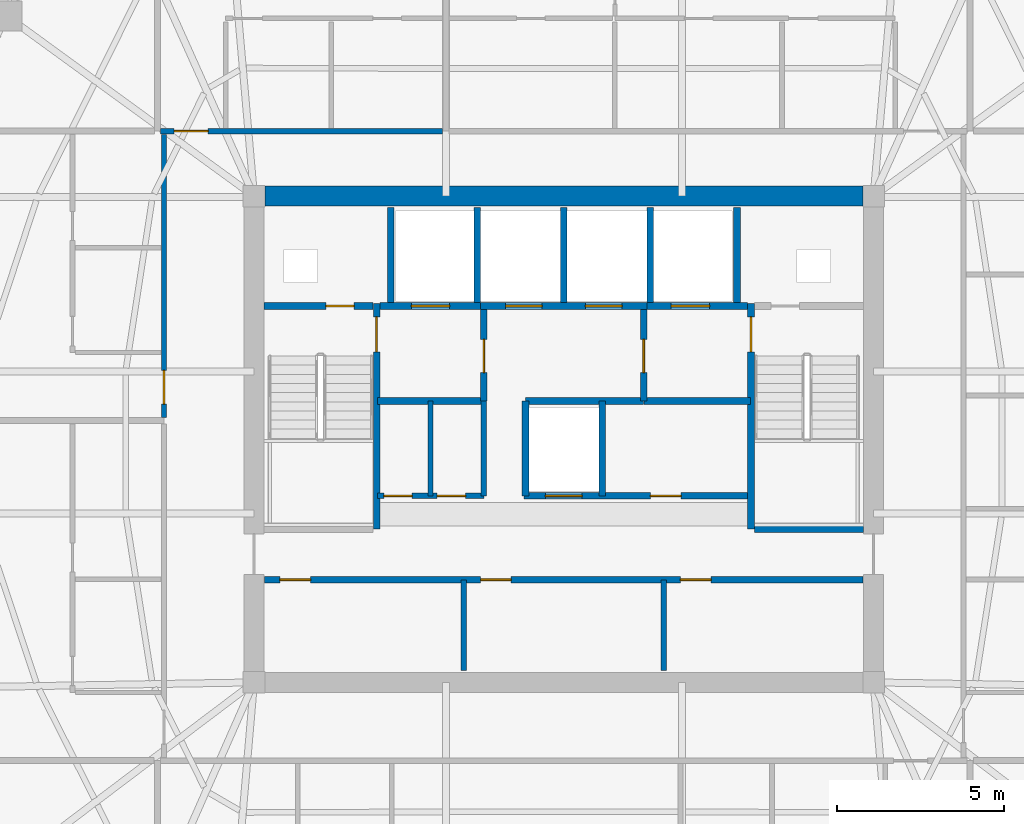
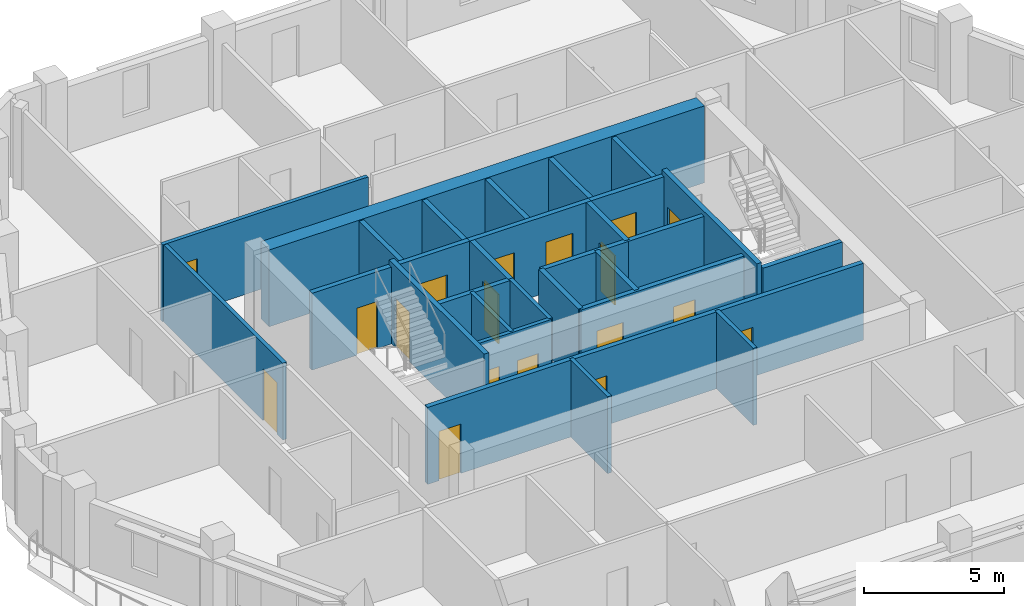
# One storey, part 5 of 11: 29 walls, 18 doors, 18 openings.
"""IFC4 building model written with IfcOpenShell, lengths in metres."""

from ifc_helpers import new_model, si_unit, direction, frame, frame_2d, origin, place, context, subcontext, project, spatial, rectangle, extrude, material, layer, layer_set, type_object, element, fill, save


model = new_model("IFC4")

# Units and contexts
model_context = context("Model", 3, precision=1e-05, world=origin(), true_north=direction((0.0, 1.0)))
body_context = subcontext(model_context, "Body", "Model", "MODEL_VIEW")
ifc_project = project(units=[si_unit("LENGTHUNIT", "METRE"), si_unit("AREAUNIT", "SQUARE_METRE"), si_unit("VOLUMEUNIT", "CUBIC_METRE"), si_unit("PLANEANGLEUNIT", "RADIAN"), si_unit("MASSUNIT", "GRAM", prefix="KILO")], contexts=[model_context])

# Site, building, storey
site_placement = place(None, origin())
site = spatial("IfcSite", under=ifc_project, at=site_placement, CompositionType="ELEMENT")
building_placement = place(site_placement, origin())
building = spatial("IfcBuilding", under=site, at=building_placement, Name="Cinnabar Lancet Tower", CompositionType="ELEMENT")
storey_placement = place(building_placement, frame((0.0, 0.0, 196.75)))
storey = spatial("IfcBuildingStorey", under=building, at=storey_placement, Name="L52", CompositionType="ELEMENT", Elevation=196.75)

# Wall, openings, doors
ifc_material_1 = material(Name="Acoustic twin-stud gypsum partition", Category="gypsum")
ifc_layer_1 = layer(ifc_material_1, 0.159912109375)
ifc_layer_set_1 = layer_set([ifc_layer_1], Name="Acoustic twin-stud gypsum partition")
wall_type_1 = type_object("IfcWallType", Name="ARC-WL-CORR-160", PredefinedType="PARTITIONING", material=ifc_layer_set_1)
wall_1_placement = place(storey_placement, frame((26.800048828125, 24.199951171875, 0.0), z_axis=(0.0, 0.0, 1.0), x_axis=(1.0, 0.0, 0.0)))
wall_1 = element("IfcWall", 1, at=wall_1_placement, inside=storey, type_object=wall_type_1, Name="CW-REC5S-L52", PredefinedType="PARTITIONING", context=body_context, shape_type="SweptSolid", body=[
    extrude(rectangle(XDim=3.199951171875, YDim=0.159912109375, at=frame_2d((1.60009765625, 0.0))), origin(), (0.0, 0.0, 1.0), 3.35009765625),
])
opening_1_placement = place(wall_1_placement, frame((0.199951171875, 0.0, 0.0)))
opening_1 = element("IfcOpeningElement", 2, at=opening_1_placement, cuts=wall_1, Name="Opening PD-02", PredefinedType="OPENING", context=body_context, shape_type="SweptSolid", body=[
    extrude(rectangle(XDim=0.85009765625, YDim=2.050048828125, at=frame_2d((0.425048828125, 1.02490234375))), frame((0.0, 0.08984375, 0.0), z_axis=(0.0, -1.0, 0.0), x_axis=(1.0, 0.0, 0.0)), (0.0, 0.0, 1.0), 0.179931640625),
])
opening_2_placement = place(wall_1_placement, frame((1.800048828125, 0.0, 0.0)))
opening_2 = element("IfcOpeningElement", 3, at=opening_2_placement, cuts=wall_1, Name="Opening PD-02", PredefinedType="OPENING", context=body_context, shape_type="SweptSolid", body=[
    extrude(rectangle(XDim=0.85009765625, YDim=2.050048828125, at=frame_2d((0.425048828125, 1.02490234375))), frame((0.0, 0.08984375, 0.0), z_axis=(0.0, -1.0, 0.0), x_axis=(1.0, 0.0, 0.0)), (0.0, 0.0, 1.0), 0.179931640625),
])
ifc_material_2 = material(Name="Fire-rated steel riser access door", Category="steel")
door_type_1 = type_object("IfcDoorType", Name="ARC-DR-RISER", OperationType="NOTDEFINED", PredefinedType="DOOR", material=ifc_material_2)
door_1_placement = place(opening_1_placement, origin())
door_1 = element("IfcDoor", 4, at=door_1_placement, inside=storey, type_object=door_type_1, Name="DR-L52-REC5A", OperationType="SINGLE_SWING_LEFT", OverallHeight=2.050048828125, OverallWidth=0.85009765625, PredefinedType="DOOR", context=body_context, shape_type="SweptSolid", body=[
    extrude(rectangle(XDim=0.85009765625, YDim=2.050048828125, at=frame_2d((0.425048828125, 1.02490234375))), frame((0.0, 0.02490234375, 0.0), z_axis=(0.0, -1.0, 0.0), x_axis=(1.0, 0.0, 0.0)), (0.0, 0.0, 1.0), 0.050048828125),
])
fill(opening_1, door_1)
door_2_placement = place(opening_2_placement, origin())
door_2 = element("IfcDoor", 5, at=door_2_placement, inside=storey, type_object=door_type_1, Name="DR-L52-REC5B", OperationType="SINGLE_SWING_RIGHT", OverallHeight=2.050048828125, OverallWidth=0.85009765625, PredefinedType="DOOR", context=body_context, shape_type="SweptSolid", body=[
    extrude(rectangle(XDim=0.85009765625, YDim=2.050048828125, at=frame_2d((0.425048828125, 1.02490234375))), frame((0.0, 0.02490234375, 0.0), z_axis=(0.0, -1.0, 0.0), x_axis=(1.0, 0.0, 0.0)), (0.0, 0.0, 1.0), 0.050048828125),
])
fill(opening_2, door_2)

# Walls
for number, where, z_axis, x_axis, name in (
    (6, (30.0, 24.199951171875, 0.0), (0.0, 0.0, 1.0), (0.0, 1.0, 0.0), "CW-REC5E-L52"),
    (7, (28.39990234375, 24.199951171875, 0.0), (0.0, 0.0, 1.0), (0.0, 1.0, 0.0), "CW-REC5D-L52"),
):
    element("IfcWall", number, at=place(storey_placement, frame(where, z_axis=z_axis, x_axis=x_axis)), inside=storey, type_object=wall_type_1, Name=name, PredefinedType="PARTITIONING", context=body_context, shape_type="SweptSolid", body=[
        extrude(rectangle(XDim=2.85009765625, YDim=0.159912109375, at=frame_2d((1.425048828125, 0.0))), origin(), (0.0, 0.0, 1.0), 3.35009765625),
    ])
for number, where, z_axis, x_axis, name in (
    (8, (29.39990234375, 18.949951171875, 0.0), (0.0, 0.0, 1.0), (0.0, 1.0, 0.0), "CW-SB-2940-L52"),
    (9, (35.39990234375, 18.949951171875, 0.0), (0.0, 0.0, 1.0), (0.0, 1.0, 0.0), "CW-SB-3540-L52"),
):
    element("IfcWall", number, at=place(storey_placement, frame(where, z_axis=z_axis, x_axis=x_axis)), inside=storey, type_object=wall_type_1, Name=name, PredefinedType="PARTITIONING", context=body_context, shape_type="SweptSolid", body=[
        extrude(rectangle(XDim=2.72998046875, YDim=0.159912109375, at=frame_2d((1.364990234375, 0.0))), origin(), (0.0, 0.0, 1.0), 3.35009765625),
    ])

# Wall, opening, door
wall_2_placement = place(storey_placement, frame((20.294921875, 35.14990234375, 0.0), z_axis=(0.0, 0.0, 1.0), x_axis=(1.0, 0.0, 0.0)))
wall_2 = element("IfcWall", 10, at=wall_2_placement, inside=storey, type_object=wall_type_1, Name="L52 Unit N01 Corridor Wall", PredefinedType="PARTITIONING", context=body_context, shape_type="SweptSolid", body=[
    extrude(rectangle(XDim=8.467041015625, YDim=0.159912109375, at=frame_2d((4.2333984375, 0.0))), origin(), (0.0, 0.0, 1.0), 3.35009765625),
])
opening_3_placement = place(wall_2_placement, frame((0.405029296875, 0.0, 0.0)))
opening_3 = element("IfcOpeningElement", 11, at=opening_3_placement, cuts=wall_2, Name="Opening UD-01", PredefinedType="OPENING", context=body_context, shape_type="SweptSolid", body=[
    extrude(rectangle(XDim=1.02001953125, YDim=2.25, at=frame_2d((0.510009765625, 1.125))), frame((0.0, 0.08984375, 0.0), z_axis=(0.0, -1.0, 0.0), x_axis=(1.0, 0.0, 0.0)), (0.0, 0.0, 1.0), 0.179931640625),
])
ifc_material_3 = material(Name="Solid timber fire-rated apartment entrance door", Category="wood")
door_type_2 = type_object("IfcDoorType", Name="ARC-DR-UNIT", OperationType="NOTDEFINED", PredefinedType="DOOR", material=ifc_material_3)
door_3_placement = place(opening_3_placement, origin())
door_3 = element("IfcDoor", 12, at=door_3_placement, inside=storey, type_object=door_type_2, Name="DR-L52-N01-ENT", OperationType="SINGLE_SWING_LEFT", OverallHeight=2.25, OverallWidth=1.02001953125, PredefinedType="DOOR", context=body_context, shape_type="SweptSolid", body=[
    extrude(rectangle(XDim=1.02001953125, YDim=2.25, at=frame_2d((0.510009765625, 1.125))), frame((0.0, 0.02490234375, 0.0), z_axis=(0.0, -1.0, 0.0), x_axis=(1.0, 0.0, 0.0)), (0.0, 0.0, 1.0), 0.050048828125),
])
fill(opening_3, door_3)

wall_3_placement = place(storey_placement, frame((20.39990234375, 26.551025390625, 0.0), z_axis=(0.0, 0.0, 1.0), x_axis=(0.0, 1.0, 0.0)))
wall_3 = element("IfcWall", 13, at=wall_3_placement, inside=storey, type_object=wall_type_1, Name="UW-L52-W02-COR", PredefinedType="PARTITIONING", context=body_context, shape_type="SweptSolid", body=[
    extrude(rectangle(XDim=8.50390625, YDim=0.159912109375, at=frame_2d((4.251953125, 0.0))), origin(), (0.0, 0.0, 1.0), 3.35009765625),
])
opening_4_placement = place(wall_3_placement, frame((0.39990234375, 0.0, 0.0)))
opening_4 = element("IfcOpeningElement", 14, at=opening_4_placement, cuts=wall_3, Name="Opening UD-01", PredefinedType="OPENING", context=body_context, shape_type="SweptSolid", body=[
    extrude(rectangle(XDim=1.02001953125, YDim=2.25, at=frame_2d((0.510009765625, 1.125))), frame((0.0, 0.08984375, 0.0), z_axis=(0.0, -1.0, 0.0), x_axis=(1.0, 0.0, 0.0)), (0.0, 0.0, 1.0), 0.179931640625),
])
door_4_placement = place(opening_4_placement, origin())
door_4 = element("IfcDoor", 15, at=door_4_placement, inside=storey, type_object=door_type_2, Name="DR-L52-W02-ENT", OperationType="SINGLE_SWING_LEFT", OverallHeight=2.25, OverallWidth=1.02001953125, PredefinedType="DOOR", context=body_context, shape_type="SweptSolid", body=[
    extrude(rectangle(XDim=1.02001953125, YDim=2.25, at=frame_2d((0.510009765625, 1.125))), frame((0.0, 0.02490234375, 0.0), z_axis=(0.0, -1.0, 0.0), x_axis=(1.0, 0.0, 0.0)), (0.0, 0.0, 1.0), 0.050048828125),
])
fill(opening_4, door_4)

# Wall
ifc_material_4 = material(Name="Autoclaved aerated concrete blockwork", Category="masonry")
ifc_layer_2 = layer(ifc_material_4, 0.199951171875)
ifc_layer_set_2 = layer_set([ifc_layer_2], Name="Autoclaved aerated concrete blockwork")
wall_type_2 = type_object("IfcWallType", Name="ARC-WL-SHAFT-200", PredefinedType="PLUMBINGWALL", material=ifc_layer_set_2)
wall_4_placement = place(storey_placement, frame((38.125, 23.199951171875, 0.0), z_axis=(0.0, 0.0, 1.0), x_axis=(1.0, 0.0, 0.0)))
element("IfcWall", 16, at=wall_4_placement, inside=storey, type_object=wall_type_2, Name="CW-ST2S-L52", PredefinedType="PLUMBINGWALL", context=body_context, shape_type="SweptSolid", body=[
    extrude(rectangle(XDim=3.27001953125, YDim=0.199951171875, at=frame_2d((1.635009765625, 0.0))), origin(), (0.0, 0.0, 1.0), 3.35009765625),
])

# Wall, opening, door
wall_5_placement = place(storey_placement, frame((23.405029296875, 29.89990234375, 0.0), z_axis=(0.0, 0.0, 1.0), x_axis=(1.0, 0.0, 0.0)))
wall_5 = element("IfcWall", 17, at=wall_5_placement, inside=storey, type_object=wall_type_2, Name="CW-NSH-W-L52", PredefinedType="PLUMBINGWALL", context=body_context, shape_type="SweptSolid", body=[
    extrude(rectangle(XDim=3.27001953125, YDim=0.199951171875, at=frame_2d((1.635009765625, 0.0))), origin(), (0.0, 0.0, 1.0), 3.35009765625),
])
opening_5_placement = place(wall_5_placement, frame((1.85009765625, 0.0, 0.0)))
opening_5 = element("IfcOpeningElement", 18, at=opening_5_placement, cuts=wall_5, Name="Opening PD-02", PredefinedType="OPENING", context=body_context, shape_type="SweptSolid", body=[
    extrude(rectangle(XDim=0.85009765625, YDim=2.050048828125, at=frame_2d((0.425048828125, 1.02490234375))), frame((0.0, 0.10986328125, 0.0), z_axis=(0.0, -1.0, 0.0), x_axis=(1.0, 0.0, 0.0)), (0.0, 0.0, 1.0), 0.219970703125),
])
door_5_placement = place(opening_5_placement, origin())
door_5 = element("IfcDoor", 19, at=door_5_placement, inside=storey, type_object=door_type_1, Name="L52 West Riser Access Door", OperationType="SINGLE_SWING_LEFT", OverallHeight=2.050048828125, OverallWidth=0.85009765625, PredefinedType="DOOR", context=body_context, shape_type="SweptSolid", body=[
    extrude(rectangle(XDim=0.85009765625, YDim=2.050048828125, at=frame_2d((0.425048828125, 1.02490234375))), frame((0.0, 0.02490234375, 0.0), z_axis=(0.0, -1.0, 0.0), x_axis=(1.0, 0.0, 0.0)), (0.0, 0.0, 1.0), 0.050048828125),
])
fill(opening_5, door_5)

wall_6_placement = place(storey_placement, frame((26.885009765625, 29.89990234375, 0.0), z_axis=(0.0, 0.0, 1.0), x_axis=(1.0, 0.0, 0.0)))
wall_6 = element("IfcWall", 20, at=wall_6_placement, inside=storey, type_object=wall_type_2, Name="CW-FL1-L52", PredefinedType="PLUMBINGWALL", context=body_context, shape_type="SweptSolid", body=[
    extrude(rectangle(XDim=3.014892578125, YDim=0.199951171875, at=frame_2d((1.50732421875, 0.0))), origin(), (0.0, 0.0, 1.0), 3.35009765625),
])
opening_6_placement = place(wall_6_placement, frame((0.93994140625, 0.0, 0.0)))
opening_6 = element("IfcOpeningElement", 21, at=opening_6_placement, cuts=wall_6, Name="Opening LD-02", PredefinedType="OPENING", context=body_context, shape_type="SweptSolid", body=[
    extrude(rectangle(XDim=1.14990234375, YDim=2.199951171875, at=frame_2d((0.574951171875, 1.10009765625))), frame((0.0, 0.10986328125, 0.0), z_axis=(0.0, -1.0, 0.0), x_axis=(1.0, 0.0, 0.0)), (0.0, 0.0, 1.0), 0.219970703125),
])
ifc_material_5 = material(Name="Fire-rated stainless steel firefighting lift landing door", Category="steel")
door_type_3 = type_object("IfcDoorType", Name="ARC-DR-LD-FIRE", OperationType="NOTDEFINED", PredefinedType="DOOR", material=ifc_material_5)
door_6_placement = place(opening_6_placement, origin())
door_6 = element("IfcDoor", 22, at=door_6_placement, inside=storey, type_object=door_type_3, Name="L52 Firefighting Lift FL-1 Landing Door", OperationType="DOUBLE_DOOR_SLIDING", OverallHeight=2.199951171875, OverallWidth=1.14990234375, PredefinedType="DOOR", context=body_context, shape_type="SweptSolid", body=[
    extrude(rectangle(XDim=1.14990234375, YDim=2.199951171875, at=frame_2d((0.574951171875, 1.10009765625))), frame((0.0, 0.02490234375, 0.0), z_axis=(0.0, -1.0, 0.0), x_axis=(1.0, 0.0, 0.0)), (0.0, 0.0, 1.0), 0.050048828125),
])
fill(opening_6, door_6)

# Wall, openings, doors
wall_7_placement = place(storey_placement, frame((29.89990234375, 29.89990234375, 0.0), z_axis=(0.0, 0.0, 1.0), x_axis=(1.0, 0.0, 0.0)))
wall_7 = element("IfcWall", 23, at=wall_7_placement, inside=storey, type_object=wall_type_2, Name="CW-PL78-L52", PredefinedType="PLUMBINGWALL", context=body_context, shape_type="SweptSolid", body=[
    extrude(rectangle(XDim=5.0, YDim=0.199951171875, at=frame_2d((2.5, 0.0))), origin(), (0.0, 0.0, 1.0), 3.35009765625),
])
opening_7_placement = place(wall_7_placement, frame((0.75, 0.0, 0.0)))
opening_7 = element("IfcOpeningElement", 24, at=opening_7_placement, cuts=wall_7, Name="Opening LD-01", PredefinedType="OPENING", context=body_context, shape_type="SweptSolid", body=[
    extrude(rectangle(XDim=1.10009765625, YDim=2.199951171875, at=frame_2d((0.550048828125, 1.10009765625))), frame((0.0, 0.10986328125, 0.0), z_axis=(0.0, -1.0, 0.0), x_axis=(1.0, 0.0, 0.0)), (0.0, 0.0, 1.0), 0.219970703125),
])
opening_8_placement = place(wall_7_placement, frame((3.14990234375, 0.0, 0.0)))
opening_8 = element("IfcOpeningElement", 25, at=opening_8_placement, cuts=wall_7, Name="Opening LD-01", PredefinedType="OPENING", context=body_context, shape_type="SweptSolid", body=[
    extrude(rectangle(XDim=1.10009765625, YDim=2.199951171875, at=frame_2d((0.550048828125, 1.10009765625))), frame((0.0, 0.10986328125, 0.0), z_axis=(0.0, -1.0, 0.0), x_axis=(1.0, 0.0, 0.0)), (0.0, 0.0, 1.0), 0.219970703125),
])
ifc_material_6 = material(Name="Brushed stainless steel sliding lift door", Category="steel")
door_type_4 = type_object("IfcDoorType", Name="ARC-DR-LD-PASS", OperationType="NOTDEFINED", PredefinedType="DOOR", material=ifc_material_6)
door_7_placement = place(opening_7_placement, origin())
door_7 = element("IfcDoor", 26, at=door_7_placement, inside=storey, type_object=door_type_4, Name="L52 Lift PL-7 Landing Door", OperationType="DOUBLE_DOOR_SLIDING", OverallHeight=2.199951171875, OverallWidth=1.10009765625, PredefinedType="DOOR", context=body_context, shape_type="SweptSolid", body=[
    extrude(rectangle(XDim=1.10009765625, YDim=2.199951171875, at=frame_2d((0.550048828125, 1.10009765625))), frame((0.0, 0.02490234375, 0.0), z_axis=(0.0, -1.0, 0.0), x_axis=(1.0, 0.0, 0.0)), (0.0, 0.0, 1.0), 0.050048828125),
])
fill(opening_7, door_7)
door_8_placement = place(opening_8_placement, origin())
door_8 = element("IfcDoor", 27, at=door_8_placement, inside=storey, type_object=door_type_4, Name="L52 Lift PL-8 Landing Door", OperationType="DOUBLE_DOOR_SLIDING", OverallHeight=2.199951171875, OverallWidth=1.10009765625, PredefinedType="DOOR", context=body_context, shape_type="SweptSolid", body=[
    extrude(rectangle(XDim=1.10009765625, YDim=2.199951171875, at=frame_2d((0.550048828125, 1.10009765625))), frame((0.0, 0.02490234375, 0.0), z_axis=(0.0, -1.0, 0.0), x_axis=(1.0, 0.0, 0.0)), (0.0, 0.0, 1.0), 0.050048828125),
])
fill(opening_8, door_8)

# Wall, opening, door
wall_8_placement = place(storey_placement, frame((34.89990234375, 29.89990234375, 0.0), z_axis=(0.0, 0.0, 1.0), x_axis=(1.0, 0.0, 0.0)))
wall_8 = element("IfcWall", 28, at=wall_8_placement, inside=storey, type_object=wall_type_2, Name="CW-FL2-L52", PredefinedType="PLUMBINGWALL", context=body_context, shape_type="SweptSolid", body=[
    extrude(rectangle(XDim=3.01513671875, YDim=0.199951171875, at=frame_2d((1.507568359375, 0.0))), origin(), (0.0, 0.0, 1.0), 3.35009765625),
])
opening_9_placement = place(wall_8_placement, frame((0.72509765625, 0.0, 0.0)))
opening_9 = element("IfcOpeningElement", 29, at=opening_9_placement, cuts=wall_8, Name="Opening LD-02", PredefinedType="OPENING", context=body_context, shape_type="SweptSolid", body=[
    extrude(rectangle(XDim=1.14990234375, YDim=2.199951171875, at=frame_2d((0.574951171875, 1.10009765625))), frame((0.0, 0.10986328125, 0.0), z_axis=(0.0, -1.0, 0.0), x_axis=(1.0, 0.0, 0.0)), (0.0, 0.0, 1.0), 0.219970703125),
])
door_9_placement = place(opening_9_placement, origin())
door_9 = element("IfcDoor", 30, at=door_9_placement, inside=storey, type_object=door_type_3, Name="L52 Firefighting Lift FL-2 Landing Door", OperationType="DOUBLE_DOOR_SLIDING", OverallHeight=2.199951171875, OverallWidth=1.14990234375, PredefinedType="DOOR", context=body_context, shape_type="SweptSolid", body=[
    extrude(rectangle(XDim=1.14990234375, YDim=2.199951171875, at=frame_2d((0.574951171875, 1.10009765625))), frame((0.0, 0.02490234375, 0.0), z_axis=(0.0, -1.0, 0.0), x_axis=(1.0, 0.0, 0.0)), (0.0, 0.0, 1.0), 0.050048828125),
])
fill(opening_9, door_9)

# Walls
for number, where, z_axis, x_axis, name in (
    (31, (27.199951171875, 30.0, 0.0), (0.0, 0.0, 1.0), (0.0, 1.0, 0.0), "CW-NSH-D1-L52"),
    (32, (29.800048828125, 30.0, 0.0), (0.0, 0.0, 1.0), (0.0, 1.0, 0.0), "CW-NSH-D2-L52"),
    (33, (32.39990234375, 30.0, 0.0), (0.0, 0.0, 1.0), (0.0, 1.0, 0.0), "CW-NSH-D3-L52"),
    (34, (35.0, 30.0, 0.0), (0.0, 0.0, 1.0), (0.0, 1.0, 0.0), "CW-NSH-D4-L52"),
    (35, (37.60009765625, 30.0, 0.0), (0.0, 0.0, 1.0), (0.0, 1.0, 0.0), "CW-NSH-D5-L52"),
):
    element("IfcWall", number, at=place(storey_placement, frame(where, z_axis=z_axis, x_axis=x_axis)), inside=storey, type_object=wall_type_2, Name=name, PredefinedType="PLUMBINGWALL", context=body_context, shape_type="SweptSolid", body=[
        extrude(rectangle(XDim=2.85009765625, YDim=0.199951171875, at=frame_2d((1.425048828125, 0.0))), origin(), (0.0, 0.0, 1.0), 3.35009765625),
    ])

# Wall, opening, door
wall_9_placement = place(storey_placement, frame((30.0, 27.050048828125, 0.0), z_axis=(0.0, 0.0, 1.0), x_axis=(0.0, 1.0, 0.0)))
wall_9 = element("IfcWall", 36, at=wall_9_placement, inside=storey, type_object=wall_type_2, Name="CW-FF1E-L52", PredefinedType="PLUMBINGWALL", context=body_context, shape_type="SweptSolid", body=[
    extrude(rectangle(XDim=2.75, YDim=0.199951171875, at=frame_2d((1.375, 0.0))), origin(), (0.0, 0.0, 1.0), 3.35009765625),
])
opening_10_placement = place(wall_9_placement, frame((0.85009765625, 0.0, 0.0)))
opening_10 = element("IfcOpeningElement", 37, at=opening_10_placement, cuts=wall_9, Name="Opening FD-01", PredefinedType="OPENING", context=body_context, shape_type="SweptSolid", body=[
    extrude(rectangle(XDim=1.0, YDim=2.14990234375, at=frame_2d((0.5, 1.074951171875))), frame((0.0, 0.10986328125, 0.0), z_axis=(0.0, -1.0, 0.0), x_axis=(1.0, 0.0, 0.0)), (0.0, 0.0, 1.0), 0.219970703125),
])
ifc_material_7 = material(Name="Fire-rated timber-core lobby door", Category="wood")
door_type_5 = type_object("IfcDoorType", Name="ARC-DR-FFAL", OperationType="NOTDEFINED", PredefinedType="DOOR", material=ifc_material_7)
door_10_placement = place(opening_10_placement, origin())
door_10 = element("IfcDoor", 38, at=door_10_placement, inside=storey, type_object=door_type_5, Name="L52 FFAL-1 Lobby Fire Door", OperationType="SINGLE_SWING_RIGHT", OverallHeight=2.14990234375, OverallWidth=1.0, PredefinedType="DOOR", context=body_context, shape_type="SweptSolid", body=[
    extrude(rectangle(XDim=1.0, YDim=2.14990234375, at=frame_2d((0.5, 1.074951171875))), frame((0.0, 0.02490234375, 0.0), z_axis=(0.0, -1.0, 0.0), x_axis=(1.0, 0.0, 0.0)), (0.0, 0.0, 1.0), 0.050048828125),
])
fill(opening_10, door_10)

# Wall
wall_10_placement = place(storey_placement, frame((26.800048828125, 27.050048828125, 0.0), z_axis=(0.0, 0.0, 1.0), x_axis=(1.0, 0.0, 0.0)))
element("IfcWall", 39, at=wall_10_placement, inside=storey, type_object=wall_type_2, Name="CW-FF1S-L52", PredefinedType="PLUMBINGWALL", context=body_context, shape_type="SweptSolid", body=[
    extrude(rectangle(XDim=3.199951171875, YDim=0.199951171875, at=frame_2d((1.60009765625, 0.0))), origin(), (0.0, 0.0, 1.0), 3.35009765625),
])

# Wall, opening, door
wall_11_placement = place(storey_placement, frame((34.800048828125, 27.050048828125, 0.0), z_axis=(0.0, 0.0, 1.0), x_axis=(0.0, 1.0, 0.0)))
wall_11 = element("IfcWall", 40, at=wall_11_placement, inside=storey, type_object=wall_type_2, Name="CW-FF2W-L52", PredefinedType="PLUMBINGWALL", context=body_context, shape_type="SweptSolid", body=[
    extrude(rectangle(XDim=2.75, YDim=0.199951171875, at=frame_2d((1.375, 0.0))), origin(), (0.0, 0.0, 1.0), 3.35009765625),
])
opening_11_placement = place(wall_11_placement, frame((0.85009765625, 0.0, 0.0)))
opening_11 = element("IfcOpeningElement", 41, at=opening_11_placement, cuts=wall_11, Name="Opening FD-01", PredefinedType="OPENING", context=body_context, shape_type="SweptSolid", body=[
    extrude(rectangle(XDim=1.0, YDim=2.14990234375, at=frame_2d((0.5, 1.074951171875))), frame((0.0, 0.10986328125, 0.0), z_axis=(0.0, -1.0, 0.0), x_axis=(1.0, 0.0, 0.0)), (0.0, 0.0, 1.0), 0.219970703125),
])
door_11_placement = place(opening_11_placement, origin())
door_11 = element("IfcDoor", 42, at=door_11_placement, inside=storey, type_object=door_type_5, Name="L52 FFAL-2 Lobby Fire Door", OperationType="SINGLE_SWING_LEFT", OverallHeight=2.14990234375, OverallWidth=1.0, PredefinedType="DOOR", context=body_context, shape_type="SweptSolid", body=[
    extrude(rectangle(XDim=1.0, YDim=2.14990234375, at=frame_2d((0.5, 1.074951171875))), frame((0.0, 0.02490234375, 0.0), z_axis=(0.0, -1.0, 0.0), x_axis=(1.0, 0.0, 0.0)), (0.0, 0.0, 1.0), 0.050048828125),
])
fill(opening_11, door_11)

# Wall
wall_12_placement = place(storey_placement, frame((34.800048828125, 27.050048828125, 0.0), z_axis=(0.0, 0.0, 1.0), x_axis=(1.0, 0.0, 0.0)))
element("IfcWall", 43, at=wall_12_placement, inside=storey, type_object=wall_type_2, Name="CW-FF2S-L52", PredefinedType="PLUMBINGWALL", context=body_context, shape_type="SweptSolid", body=[
    extrude(rectangle(XDim=3.199951171875, YDim=0.199951171875, at=frame_2d((1.60009765625, 0.0))), origin(), (0.0, 0.0, 1.0), 3.35009765625),
])

# Wall, openings, doors
wall_13_placement = place(storey_placement, frame((31.199951171875, 24.199951171875, 0.0), z_axis=(0.0, 0.0, 1.0), x_axis=(1.0, 0.0, 0.0)))
wall_13 = element("IfcWall", 44, at=wall_13_placement, inside=storey, type_object=wall_type_2, Name="CW-PL96S-L52", PredefinedType="PLUMBINGWALL", context=body_context, shape_type="SweptSolid", body=[
    extrude(rectangle(XDim=6.800048828125, YDim=0.199951171875, at=frame_2d((3.39990234375, 0.0))), origin(), (0.0, 0.0, 1.0), 3.35009765625),
])
opening_12_placement = place(wall_13_placement, frame((0.64990234375, 0.0, 0.0)))
opening_12 = element("IfcOpeningElement", 45, at=opening_12_placement, cuts=wall_13, Name="Opening LD-01", PredefinedType="OPENING", context=body_context, shape_type="SweptSolid", body=[
    extrude(rectangle(XDim=1.10009765625, YDim=2.199951171875, at=frame_2d((0.550048828125, 1.10009765625))), frame((0.0, 0.10986328125, 0.0), z_axis=(0.0, -1.0, 0.0), x_axis=(1.0, 0.0, 0.0)), (0.0, 0.0, 1.0), 0.219970703125),
])
opening_13_placement = place(wall_13_placement, frame((3.800048828125, 0.0, 0.0)))
opening_13 = element("IfcOpeningElement", 46, at=opening_13_placement, cuts=wall_13, Name="Opening RD-01", PredefinedType="OPENING", context=body_context, shape_type="SweptSolid", body=[
    extrude(rectangle(XDim=0.919921875, YDim=2.14990234375, at=frame_2d((0.4599609375, 1.074951171875))), frame((0.0, 0.10986328125, 0.0), z_axis=(0.0, -1.0, 0.0), x_axis=(1.0, 0.0, 0.0)), (0.0, 0.0, 1.0), 0.219970703125),
])
door_12_placement = place(opening_12_placement, origin())
door_12 = element("IfcDoor", 47, at=door_12_placement, inside=storey, type_object=door_type_4, Name="L52 Lift PL-9 Landing Door", OperationType="DOUBLE_DOOR_SLIDING", OverallHeight=2.199951171875, OverallWidth=1.10009765625, PredefinedType="DOOR", context=body_context, shape_type="SweptSolid", body=[
    extrude(rectangle(XDim=1.10009765625, YDim=2.199951171875, at=frame_2d((0.550048828125, 1.10009765625))), frame((0.0, 0.02490234375, 0.0), z_axis=(0.0, -1.0, 0.0), x_axis=(1.0, 0.0, 0.0)), (0.0, 0.0, 1.0), 0.050048828125),
])
fill(opening_12, door_12)
ifc_material_8 = material(Name="Engineered timber bedroom door", Category="wood")
door_type_6 = type_object("IfcDoorType", Name="ARC-DR-ROOM", OperationType="NOTDEFINED", PredefinedType="DOOR", material=ifc_material_8)
door_13_placement = place(opening_13_placement, origin())
door_13 = element("IfcDoor", 48, at=door_13_placement, inside=storey, type_object=door_type_6, Name="DR-L52-REC6", OperationType="SINGLE_SWING_RIGHT", OverallHeight=2.14990234375, OverallWidth=0.919921875, PredefinedType="DOOR", context=body_context, shape_type="SweptSolid", body=[
    extrude(rectangle(XDim=0.919921875, YDim=2.14990234375, at=frame_2d((0.4599609375, 1.074951171875))), frame((0.0, 0.02490234375, 0.0), z_axis=(0.0, -1.0, 0.0), x_axis=(1.0, 0.0, 0.0)), (0.0, 0.0, 1.0), 0.050048828125),
])
fill(opening_13, door_13)

# Walls
for number, where, z_axis, x_axis, name in (
    (49, (31.25, 24.199951171875, 0.0), (0.0, 0.0, 1.0), (0.0, 1.0, 0.0), "CW-PL9W-L52"),
    (50, (33.550048828125, 24.199951171875, 0.0), (0.0, 0.0, 1.0), (0.0, 1.0, 0.0), "CW-PL9E-L52"),
):
    element("IfcWall", number, at=place(storey_placement, frame(where, z_axis=z_axis, x_axis=x_axis)), inside=storey, type_object=wall_type_2, Name=name, PredefinedType="PLUMBINGWALL", context=body_context, shape_type="SweptSolid", body=[
        extrude(rectangle(XDim=2.85009765625, YDim=0.199951171875, at=frame_2d((1.425048828125, 0.0))), origin(), (0.0, 0.0, 1.0), 3.35009765625),
    ])
wall_14_placement = place(storey_placement, frame((31.25, 27.050048828125, 0.0), z_axis=(0.0, 0.0, 1.0), x_axis=(1.0, 0.0, 0.0)))
element("IfcWall", 51, at=wall_14_placement, inside=storey, type_object=wall_type_2, Name="CW-PL96N-L52", PredefinedType="PLUMBINGWALL", context=body_context, shape_type="SweptSolid", body=[
    extrude(rectangle(XDim=3.550048828125, YDim=0.199951171875, at=frame_2d((1.77490234375, 0.0))), origin(), (0.0, 0.0, 1.0), 3.35009765625),
])

# Wall, openings, doors
wall_15_placement = place(storey_placement, frame((23.419921875, 21.679931640625, 0.0), z_axis=(0.0, 0.0, 1.0), x_axis=(1.0, 0.0, 0.0)))
wall_15 = element("IfcWall", 52, at=wall_15_placement, inside=storey, type_object=wall_type_2, Name="CW-SBANDN-L52", PredefinedType="PLUMBINGWALL", context=body_context, shape_type="SweptSolid", body=[
    extrude(rectangle(XDim=17.9599609375, YDim=0.199951171875, at=frame_2d((8.97998046875, 0.0))), origin(), (0.0, 0.0, 1.0), 3.35009765625),
])
opening_14_placement = place(wall_15_placement, frame((0.4599609375, 0.0, 0.0)))
opening_14 = element("IfcOpeningElement", 53, at=opening_14_placement, cuts=wall_15, Name="Opening RD-01", PredefinedType="OPENING", context=body_context, shape_type="SweptSolid", body=[
    extrude(rectangle(XDim=0.919921875, YDim=2.14990234375, at=frame_2d((0.4599609375, 1.074951171875))), frame((0.0, 0.10986328125, 0.0), z_axis=(0.0, -1.0, 0.0), x_axis=(1.0, 0.0, 0.0)), (0.0, 0.0, 1.0), 0.219970703125),
])
opening_15_placement = place(wall_15_placement, frame((6.47998046875, 0.0, 0.0)))
opening_15 = element("IfcOpeningElement", 54, at=opening_15_placement, cuts=wall_15, Name="Opening RD-01", PredefinedType="OPENING", context=body_context, shape_type="SweptSolid", body=[
    extrude(rectangle(XDim=0.919921875, YDim=2.14990234375, at=frame_2d((0.4599609375, 1.074951171875))), frame((0.0, 0.10986328125, 0.0), z_axis=(0.0, -1.0, 0.0), x_axis=(1.0, 0.0, 0.0)), (0.0, 0.0, 1.0), 0.219970703125),
])
opening_16_placement = place(wall_15_placement, frame((12.47998046875, 0.0, 0.0)))
opening_16 = element("IfcOpeningElement", 55, at=opening_16_placement, cuts=wall_15, Name="Opening RD-01", PredefinedType="OPENING", context=body_context, shape_type="SweptSolid", body=[
    extrude(rectangle(XDim=0.919921875, YDim=2.14990234375, at=frame_2d((0.4599609375, 1.074951171875))), frame((0.0, 0.10986328125, 0.0), z_axis=(0.0, -1.0, 0.0), x_axis=(1.0, 0.0, 0.0)), (0.0, 0.0, 1.0), 0.219970703125),
])
door_14_placement = place(opening_14_placement, origin())
door_14 = element("IfcDoor", 56, at=door_14_placement, inside=storey, type_object=door_type_6, Name="DR-L52-HREC1", OperationType="SINGLE_SWING_LEFT", OverallHeight=2.14990234375, OverallWidth=0.919921875, PredefinedType="DOOR", context=body_context, shape_type="SweptSolid", body=[
    extrude(rectangle(XDim=0.919921875, YDim=2.14990234375, at=frame_2d((0.4599609375, 1.074951171875))), frame((0.0, 0.02490234375, 0.0), z_axis=(0.0, -1.0, 0.0), x_axis=(1.0, 0.0, 0.0)), (0.0, 0.0, 1.0), 0.050048828125),
])
fill(opening_14, door_14)
door_15_placement = place(opening_15_placement, origin())
door_15 = element("IfcDoor", 57, at=door_15_placement, inside=storey, type_object=door_type_6, Name="DR-L52-HREC2", OperationType="SINGLE_SWING_RIGHT", OverallHeight=2.14990234375, OverallWidth=0.919921875, PredefinedType="DOOR", context=body_context, shape_type="SweptSolid", body=[
    extrude(rectangle(XDim=0.919921875, YDim=2.14990234375, at=frame_2d((0.4599609375, 1.074951171875))), frame((0.0, 0.02490234375, 0.0), z_axis=(0.0, -1.0, 0.0), x_axis=(1.0, 0.0, 0.0)), (0.0, 0.0, 1.0), 0.050048828125),
])
fill(opening_15, door_15)
door_16_placement = place(opening_16_placement, origin())
door_16 = element("IfcDoor", 58, at=door_16_placement, inside=storey, type_object=door_type_6, Name="DR-L52-HREC3", OperationType="SINGLE_SWING_LEFT", OverallHeight=2.14990234375, OverallWidth=0.919921875, PredefinedType="DOOR", context=body_context, shape_type="SweptSolid", body=[
    extrude(rectangle(XDim=0.919921875, YDim=2.14990234375, at=frame_2d((0.4599609375, 1.074951171875))), frame((0.0, 0.02490234375, 0.0), z_axis=(0.0, -1.0, 0.0), x_axis=(1.0, 0.0, 0.0)), (0.0, 0.0, 1.0), 0.050048828125),
])
fill(opening_16, door_16)

# Wall
ifc_material_9 = material(Name="Concrete C60/75", Category="concrete")
ifc_layer_3 = layer(ifc_material_9, 0.60009765625)
ifc_layer_set_3 = layer_set([ifc_layer_3], Name="Concrete C60/75")
wall_type_3 = type_object("IfcWallType", Name="STR-WL-CORE-600", PredefinedType="SHEAR", material=ifc_layer_set_3)
wall_16_placement = place(storey_placement, frame((23.425048828125, 33.199951171875, 0.0), z_axis=(0.0, 0.0, 1.0), x_axis=(1.0, 0.0, 0.0)))
element("IfcWall", 59, at=wall_16_placement, inside=storey, type_object=wall_type_3, Name="L52 Core Shear Wall N", PredefinedType="SHEAR", context=body_context, shape_type="SweptSolid", body=[
    extrude(rectangle(XDim=17.949951171875, YDim=0.60009765625, at=frame_2d((8.97509765625, 0.0))), origin(), (0.0, 0.0, 1.0), 3.35009765625),
])

# Wall, opening, door
ifc_material_10 = material(Name="Concrete C50/60", Category="concrete")
ifc_layer_4 = layer(ifc_material_10, 0.199951171875)
ifc_layer_set_4 = layer_set([ifc_layer_4], Name="Concrete C50/60")
wall_type_4 = type_object("IfcWallType", Name="STR-WL-STAIR-200", PredefinedType="SHEAR", material=ifc_layer_set_4)
wall_17_placement = place(storey_placement, frame((26.780029296875, 23.199951171875, 0.0), z_axis=(0.0, 0.0, 1.0), x_axis=(0.0, 1.0, 0.0)))
wall_17 = element("IfcWall", 60, at=wall_17_placement, inside=storey, type_object=wall_type_4, Name="L52 Stair ST-1 Structural Enclosure Wall", PredefinedType="SHEAR", context=body_context, shape_type="SweptSolid", body=[
    extrude(rectangle(XDim=6.780029296875, YDim=0.199951171875, at=frame_2d((3.39013671875, 0.0))), origin(), (0.0, 0.0, 1.0), 3.550048828125),
])
opening_17_placement = place(wall_17_placement, frame((5.320068359375, 0.0, 0.0)))
opening_17 = element("IfcOpeningElement", 61, at=opening_17_placement, cuts=wall_17, Name="Opening SD-01", PredefinedType="OPENING", context=body_context, shape_type="SweptSolid", body=[
    extrude(rectangle(XDim=1.050048828125, YDim=2.14990234375, at=frame_2d((0.52490234375, 1.074951171875))), frame((0.0, 0.10986328125, 0.0), z_axis=(0.0, -1.0, 0.0), x_axis=(1.0, 0.0, 0.0)), (0.0, 0.0, 1.0), 0.219970703125),
])
ifc_material_11 = material(Name="Fire-rated steel stair exit door", Category="steel")
door_type_7 = type_object("IfcDoorType", Name="ARC-DR-STAIR", OperationType="NOTDEFINED", PredefinedType="DOOR", material=ifc_material_11)
door_17_placement = place(opening_17_placement, origin())
door_17 = element("IfcDoor", 62, at=door_17_placement, inside=storey, type_object=door_type_7, Name="L52 Stair ST-1 Fire Door", OperationType="SINGLE_SWING_LEFT", OverallHeight=2.14990234375, OverallWidth=1.050048828125, PredefinedType="DOOR", context=body_context, shape_type="SweptSolid", body=[
    extrude(rectangle(XDim=1.050048828125, YDim=2.14990234375, at=frame_2d((0.52490234375, 1.074951171875))), frame((0.0, 0.02490234375, 0.0), z_axis=(0.0, -1.0, 0.0), x_axis=(1.0, 0.0, 0.0)), (0.0, 0.0, 1.0), 0.050048828125),
])
fill(opening_17, door_17)

wall_18_placement = place(storey_placement, frame((38.02001953125, 23.199951171875, 0.0), z_axis=(0.0, 0.0, 1.0), x_axis=(0.0, 1.0, 0.0)))
wall_18 = element("IfcWall", 63, at=wall_18_placement, inside=storey, type_object=wall_type_4, Name="L52 Stair ST-2 Structural Enclosure Wall", PredefinedType="SHEAR", context=body_context, shape_type="SweptSolid", body=[
    extrude(rectangle(XDim=6.780029296875, YDim=0.199951171875, at=frame_2d((3.39013671875, 0.0))), origin(), (0.0, 0.0, 1.0), 3.550048828125),
])
opening_18_placement = place(wall_18_placement, frame((5.320068359375, 0.0, 0.0)))
opening_18 = element("IfcOpeningElement", 64, at=opening_18_placement, cuts=wall_18, Name="Opening SD-01", PredefinedType="OPENING", context=body_context, shape_type="SweptSolid", body=[
    extrude(rectangle(XDim=1.050048828125, YDim=2.14990234375, at=frame_2d((0.52490234375, 1.074951171875))), frame((0.0, 0.10986328125, 0.0), z_axis=(0.0, -1.0, 0.0), x_axis=(1.0, 0.0, 0.0)), (0.0, 0.0, 1.0), 0.219970703125),
])
door_18_placement = place(opening_18_placement, origin())
door_18 = element("IfcDoor", 65, at=door_18_placement, inside=storey, type_object=door_type_7, Name="L52 Stair ST-2 Fire Door", OperationType="SINGLE_SWING_RIGHT", OverallHeight=2.14990234375, OverallWidth=1.050048828125, PredefinedType="DOOR", context=body_context, shape_type="SweptSolid", body=[
    extrude(rectangle(XDim=1.050048828125, YDim=2.14990234375, at=frame_2d((0.52490234375, 1.074951171875))), frame((0.0, 0.02490234375, 0.0), z_axis=(0.0, -1.0, 0.0), x_axis=(1.0, 0.0, 0.0)), (0.0, 0.0, 1.0), 0.050048828125),
])
fill(opening_18, door_18)

save(model, "model.ifc")
